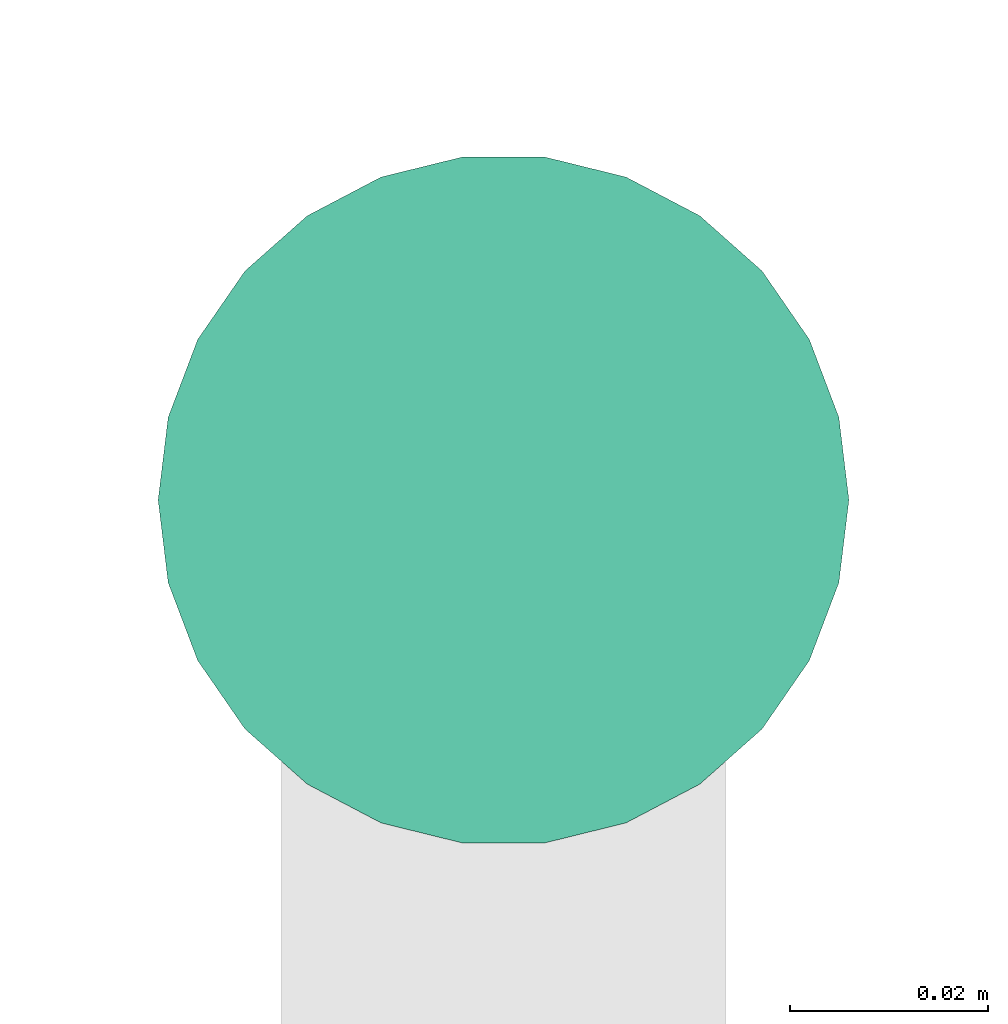
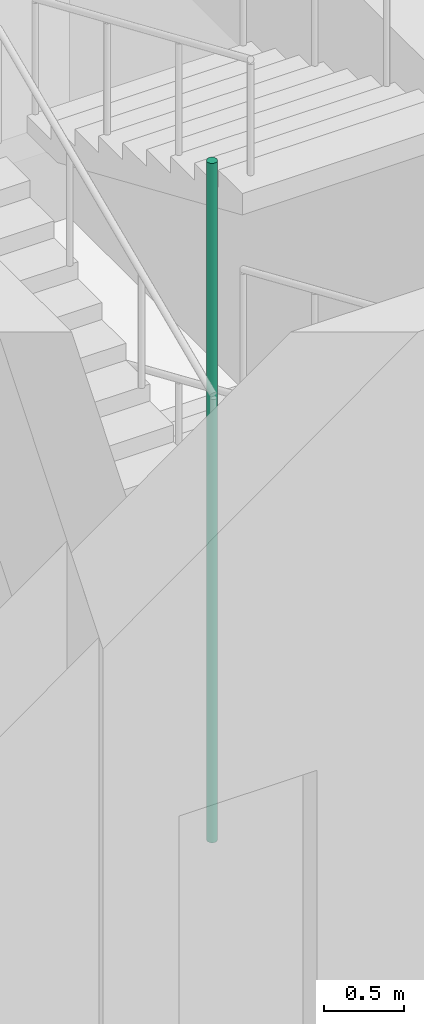
# One storey, part 20 of 31: 1 pipe segment.
"""IFC4 building model written with IfcOpenShell, lengths in metres."""

from ifc_helpers import new_model, si_unit, direction, frame, origin, origin_2d, place, context, subcontext, project, spatial, circle, extrude, element, save


model = new_model("IFC4")

# Units and contexts
model_context = context("Model", 3, precision=1e-05, world=origin(), true_north=direction((0.0, 1.0)))
body_context = subcontext(model_context, "Body", "Model", "MODEL_VIEW")
ifc_project = project(units=[si_unit("LENGTHUNIT", "METRE"), si_unit("AREAUNIT", "SQUARE_METRE"), si_unit("VOLUMEUNIT", "CUBIC_METRE"), si_unit("PLANEANGLEUNIT", "RADIAN"), si_unit("MASSUNIT", "GRAM", prefix="KILO")], contexts=[model_context])

# Site, building, storey
site_placement = place(None, origin())
site = spatial("IfcSite", under=ifc_project, at=site_placement, CompositionType="ELEMENT")
building_placement = place(site_placement, origin())
building = spatial("IfcBuilding", under=site, at=building_placement, Name="Nzadi Deep Aquarium and Research Tower", CompositionType="ELEMENT")
storey_placement = place(building_placement, frame((0.0, 0.0, 26.699951171875)))
storey = spatial("IfcBuildingStorey", under=building, at=storey_placement, Name="L04", CompositionType="ELEMENT", Elevation=26.699951171875)

# Pipe segment
pipe_segment_placement = place(storey_placement, frame((25.10009765625, 13.719970703125, 0.0), z_axis=(0.0, 0.0, 1.0), x_axis=(1.0, 0.0, 0.0)))
element("IfcPipeSegment", 1, at=pipe_segment_placement, inside=storey, Name="Dry riser ST-Z1-SE L04", PredefinedType="RIGIDSEGMENT", context=body_context, shape_type="SweptSolid", body=[
    extrude(circle(Radius=0.034912109375, at=origin_2d()), origin(), (0.0, 0.0, 1.0), 5.199951171875),
])

save(model, "model.ifc")
